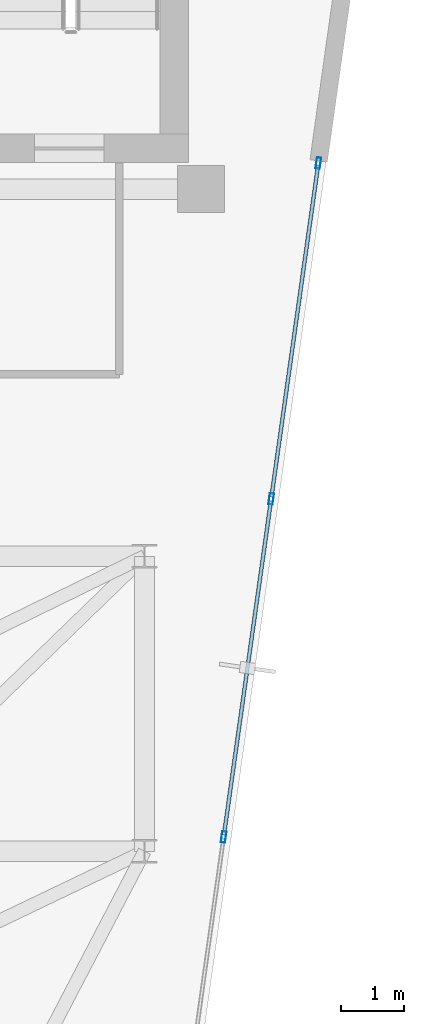
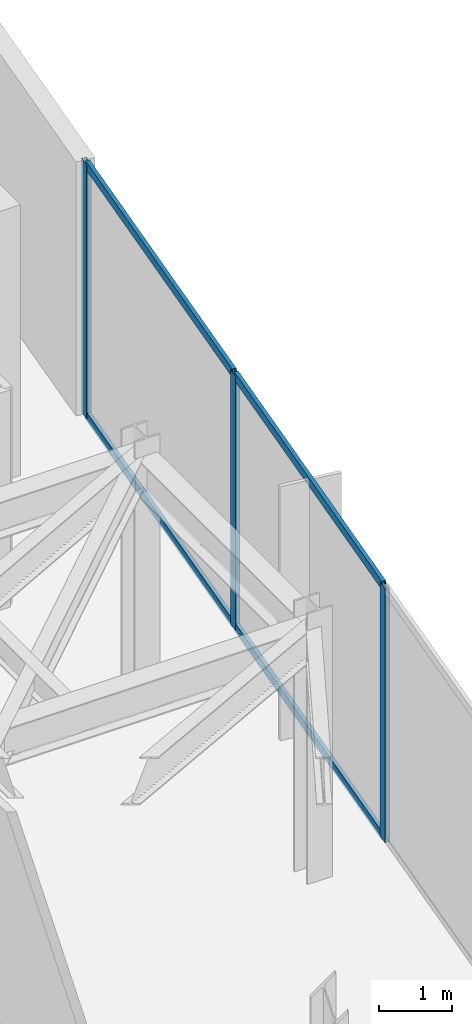
# One storey, part 12 of 17: 7 members, 1 element without a shape of its own.
"""IFC4 building model written with IfcOpenShell, lengths in metres."""

from ifc_helpers import new_model, si_unit, direction, frame, origin, origin_2d, place, context, subcontext, project, spatial, hollow_rectangle, extrude, material, layer, layer_set, material_profile, profile_set, type_object, element, aggregate, save


model = new_model("IFC4")

# Units and contexts
model_context = context("Model", 3, precision=1e-05, world=origin(), true_north=direction((0.0, 1.0)))
body_context = subcontext(model_context, "Body", "Model", "MODEL_VIEW")
ifc_project = project(units=[si_unit("LENGTHUNIT", "METRE"), si_unit("AREAUNIT", "SQUARE_METRE"), si_unit("VOLUMEUNIT", "CUBIC_METRE"), si_unit("PLANEANGLEUNIT", "RADIAN"), si_unit("MASSUNIT", "GRAM", prefix="KILO")], contexts=[model_context])

# Site, building, storey
site_placement = place(None, origin())
site = spatial("IfcSite", under=ifc_project, at=site_placement, CompositionType="ELEMENT")
building_placement = place(site_placement, origin())
building = spatial("IfcBuilding", under=site, at=building_placement, Name="Kravanh Interchange Tower", CompositionType="ELEMENT")
storey_placement = place(building_placement, frame((0.0, 0.0, 311.10009765625)))
storey = spatial("IfcBuildingStorey", under=building, at=storey_placement, Name="L77", CompositionType="ELEMENT", Elevation=311.10009765625)

# Curtain wall, members
ifc_material_1 = material(Name="Anodised Bronze Aluminium", Category="aluminium")
ifc_layer = layer(ifc_material_1, 0.179931640625)
ifc_layer_set = layer_set([ifc_layer], Name="Unitised Curtain Wall System CW-SKY Sky Observatory")
curtain_wall_type = type_object("IfcCurtainWallType", Name="Unitised Curtain Wall System CW-SKY Sky Observatory", PredefinedType="NOTDEFINED", material=ifc_layer_set)
curtain_wall_placement = place(storey_placement, origin())
curtain_wall = element("IfcCurtainWall", 1, at=curtain_wall_placement, inside=storey, type_object=curtain_wall_type, Name="L77 Unitised Curtain Wall CW-L77-02", PredefinedType="NOTDEFINED")
ifc_material_2 = material(Name="Anodised Bronze Aluminium", Category="aluminium")
ifc_material_profile_1 = material_profile(ifc_material_2, hollow_rectangle(XDim=0.070068359375, YDim=0.179931640625, WallThickness=0.00390625, at=origin_2d()), Name="ALU70X180X4")
ifc_profile_set_1 = profile_set([ifc_material_profile_1], Name="Anodised Bronze Aluminium")
member_type_1 = type_object("IfcMemberType", Name="Curtain Wall Mullion ALU70X180X4 Bronze", PredefinedType="MULLION", material=ifc_profile_set_1)
member_1_placement = place(storey_placement, frame((68.3701171875, 37.765380859375, 0.0), z_axis=(0.0, 0.0, 1.0), x_axis=(0.990267350999, -0.139178207869, 0.0)))
member_1 = element("IfcMember", 2, at=member_1_placement, type_object=member_type_1, Name="CW-SKY mullion 1", PredefinedType="MULLION", context=body_context, shape_type="SweptSolid", body=[
    extrude(hollow_rectangle(XDim=0.070068359375, YDim=0.179931640625, WallThickness=0.00390625, at=origin_2d()), origin(), (0.0, 0.0, 1.0), 4.219970703125),
])
member_2_placement = place(storey_placement, frame((67.6181640625, 32.413818359375, 0.0), z_axis=(0.0, 0.0, 1.0), x_axis=(0.990267350999, -0.139178207869, 0.0)))
member_2 = element("IfcMember", 3, at=member_2_placement, type_object=member_type_1, Name="CW-SKY mullion 2", PredefinedType="MULLION", context=body_context, shape_type="SweptSolid", body=[
    extrude(hollow_rectangle(XDim=0.070068359375, YDim=0.179931640625, WallThickness=0.00390625, at=origin_2d()), origin(), (0.0, 0.0, 1.0), 4.219970703125),
])
member_3_placement = place(storey_placement, frame((66.861083984375, 27.02783203125, 0.0), z_axis=(0.0, 0.0, 1.0), x_axis=(0.990267350999, -0.139178207869, 0.0)))
member_3 = element("IfcMember", 4, at=member_3_placement, type_object=member_type_1, Name="CW-SKY mullion 3", PredefinedType="MULLION", context=body_context, shape_type="SweptSolid", body=[
    extrude(hollow_rectangle(XDim=0.070068359375, YDim=0.179931640625, WallThickness=0.00390625, at=origin_2d()), origin(), (0.0, 0.0, 1.0), 4.219970703125),
])
ifc_material_3 = material(Name="Anodised Bronze Aluminium", Category="aluminium")
ifc_material_profile_2 = material_profile(ifc_material_3, hollow_rectangle(XDim=0.06005859375, YDim=0.139892578125, WallThickness=0.00390625, at=origin_2d()), Name="ALU60X140X4")
ifc_profile_set_2 = profile_set([ifc_material_profile_2], Name="Anodised Bronze Aluminium")
member_type_2 = type_object("IfcMemberType", Name="Curtain Wall Transom ALU60X140X4 Bronze", PredefinedType="USERDEFINED", material=ifc_profile_set_2)
member_4_placement = place(storey_placement, frame((68.365478515625, 37.730712890625, 0.02978515625), z_axis=(-0.13918470319, -0.990266438085, 0.0), x_axis=(0.990266438085, -0.13918470319, 0.0)))
member_4 = element("IfcMember", 5, at=member_4_placement, type_object=member_type_2, Name="CW-SKY transom 1.1", ObjectType="TRANSOM", PredefinedType="USERDEFINED", context=body_context, shape_type="SweptSolid", body=[
    extrude(hollow_rectangle(XDim=0.06005859375, YDim=0.139892578125, WallThickness=0.00390625, at=origin_2d()), origin(), (0.0, 0.0, 1.0), 5.334228515625),
])
member_5_placement = place(storey_placement, frame((68.365478515625, 37.730712890625, 4.18994140625), z_axis=(-0.13918470319, -0.990266438085, 0.0), x_axis=(0.990266438085, -0.13918470319, 0.0)))
member_5 = element("IfcMember", 6, at=member_5_placement, type_object=member_type_2, Name="CW-SKY transom 1.2", ObjectType="TRANSOM", PredefinedType="USERDEFINED", context=body_context, shape_type="SweptSolid", body=[
    extrude(hollow_rectangle(XDim=0.06005859375, YDim=0.139892578125, WallThickness=0.00390625, at=origin_2d()), origin(), (0.0, 0.0, 1.0), 5.334228515625),
])
member_6_placement = place(storey_placement, frame((67.61328125, 32.379150390625, 0.02978515625), z_axis=(-0.139192821514, -0.990265296998, 0.0), x_axis=(0.990265296998, -0.139192821514, 0.0)))
member_6 = element("IfcMember", 7, at=member_6_placement, type_object=member_type_2, Name="CW-SKY transom 2.1", ObjectType="TRANSOM", PredefinedType="USERDEFINED", context=body_context, shape_type="SweptSolid", body=[
    extrude(hollow_rectangle(XDim=0.06005859375, YDim=0.139892578125, WallThickness=0.00390625, at=origin_2d()), origin(), (0.0, 0.0, 1.0), 5.368896484375),
])
member_7_placement = place(storey_placement, frame((67.61328125, 32.379150390625, 4.18994140625), z_axis=(-0.139192821514, -0.990265296998, 0.0), x_axis=(0.990265296998, -0.139192821514, 0.0)))
member_7 = element("IfcMember", 8, at=member_7_placement, type_object=member_type_2, Name="CW-SKY transom 2.2", ObjectType="TRANSOM", PredefinedType="USERDEFINED", context=body_context, shape_type="SweptSolid", body=[
    extrude(hollow_rectangle(XDim=0.06005859375, YDim=0.139892578125, WallThickness=0.00390625, at=origin_2d()), origin(), (0.0, 0.0, 1.0), 5.368896484375),
])
aggregate(curtain_wall, [member_1, member_2, member_3, member_4, member_5, member_6, member_7])

save(model, "model.ifc")
